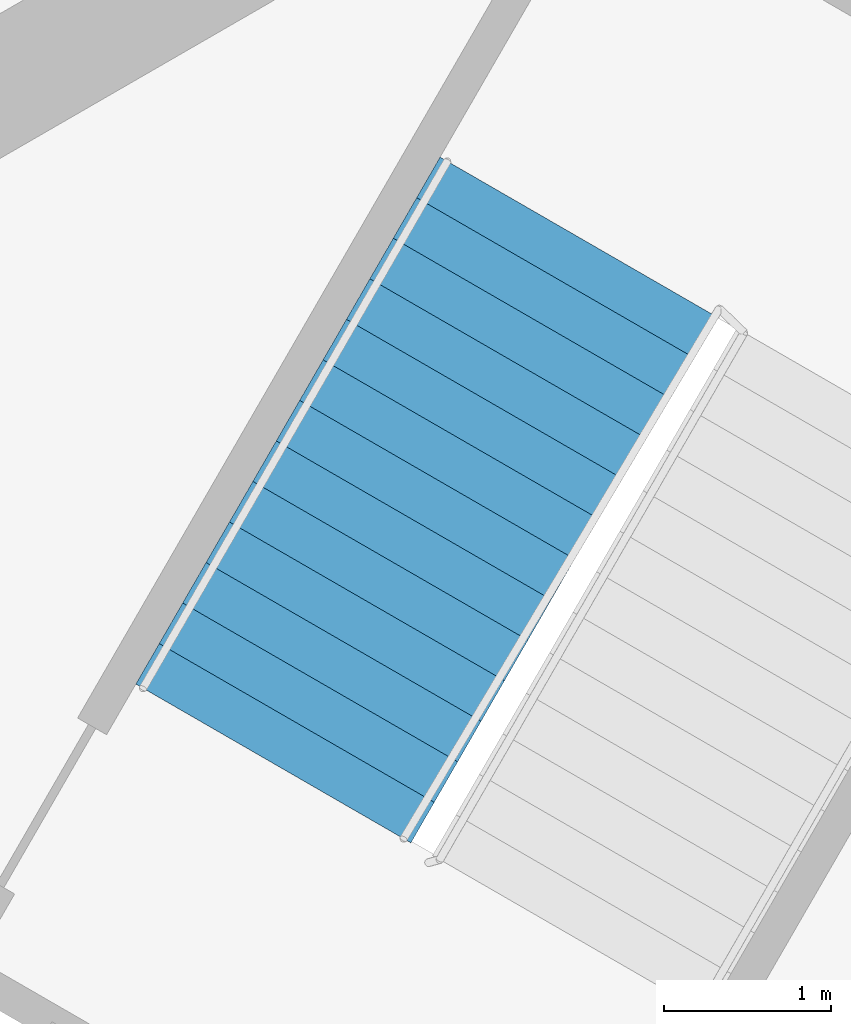
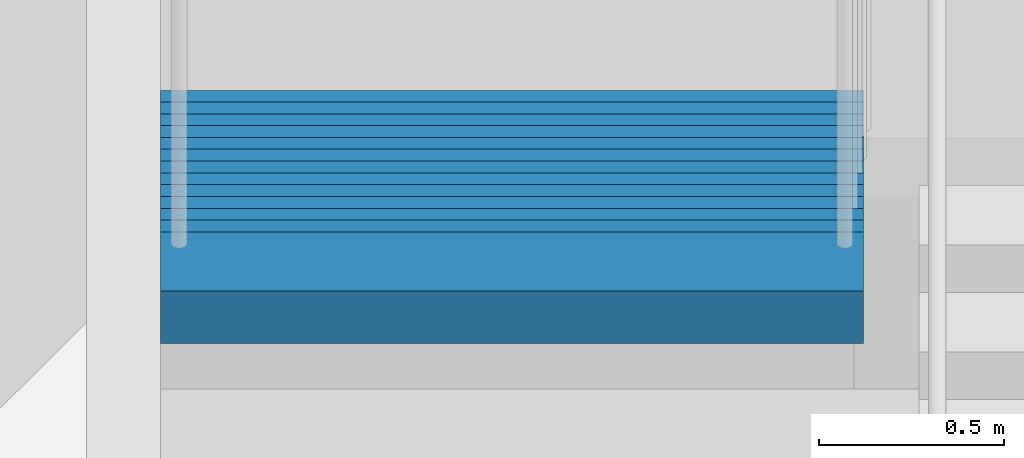
# One storey, part 15 of 17: 1 stair flight, 1 element without a shape of its own.
"""IFC4 building model written with IfcOpenShell, lengths in metres."""

from ifc_helpers import new_model, si_unit, direction, frame, origin, place, context, subcontext, project, spatial, polyline, outline, extrude, material, type_object, element, aggregate, save


model = new_model("IFC4")

# Units and contexts
model_context = context("Model", 3, precision=1e-05, world=origin(), true_north=direction((0.0, 1.0)))
body_context = subcontext(model_context, "Body", "Model", "MODEL_VIEW")
ifc_project = project(units=[si_unit("LENGTHUNIT", "METRE"), si_unit("AREAUNIT", "SQUARE_METRE"), si_unit("VOLUMEUNIT", "CUBIC_METRE"), si_unit("PLANEANGLEUNIT", "RADIAN"), si_unit("MASSUNIT", "GRAM", prefix="KILO")], contexts=[model_context])

# Site, building, storey
site_placement = place(None, origin())
site = spatial("IfcSite", under=ifc_project, at=site_placement, CompositionType="ELEMENT")
building_placement = place(site_placement, origin())
building = spatial("IfcBuilding", under=site, at=building_placement, Name="Jabali Bay Hotel Tower and Convention Centre", CompositionType="ELEMENT")
storey_placement = place(building_placement, frame((0.0, 0.0, 102.39990234375)))
storey = spatial("IfcBuildingStorey", under=building, at=storey_placement, Name="L24", CompositionType="ELEMENT", Elevation=102.39990234375)

# Stair, stair flight
ifc_material = material(Name="Concrete C40", Category="concrete")
stair_type = type_object("IfcStairType", Name="Exit stair 1900", PredefinedType="HALF_TURN_STAIR", material=ifc_material)
stair_placement = place(storey_placement, origin())
stair = element("IfcStair", 1, at=stair_placement, inside=storey, type_object=stair_type, Name="L24 Exit Stair 2", PredefinedType="HALF_TURN_STAIR")
stair_flight_type = type_object("IfcStairFlightType", Name="Stair flight concrete 150", PredefinedType="STRAIGHT", material=ifc_material)
stair_flight_placement = place(storey_placement, frame((85.222412109375, 99.755615234375, 2.2001953125), z_axis=(0.0, 0.0, 1.0), x_axis=(-0.5, -0.866025403784, 0.0)))
stair_flight = element("IfcStairFlight", 2, at=stair_flight_placement, type_object=stair_flight_type, Name="ST2 flight 2", NumberOfRisers=14, NumberOfTreads=13, PredefinedType="STRAIGHT", RiserHeight=0.157142857, TreadLength=0.28, context=body_context, shape_type="SweptSolid", body=[
    extrude(outline(polyline([(0.0, 0.0), (0.0, 0.1572265625), (0.280029296875, 0.1572265625), (0.280029296875, 0.314208984375), (0.56005859375, 0.314208984375), (0.56005859375, 0.471435546875), (0.840087890625, 0.471435546875), (0.840087890625, 0.628662109375), (1.1201171875, 0.628662109375), (1.1201171875, 0.78564453125), (1.39990234375, 0.78564453125), (1.39990234375, 0.94287109375), (1.679931640625, 0.94287109375), (1.679931640625, 1.10009765625), (1.9599609375, 1.10009765625), (1.9599609375, 1.257080078125), (2.239990234375, 1.257080078125), (2.239990234375, 1.414306640625), (2.52001953125, 1.414306640625), (2.52001953125, 1.571533203125), (2.800048828125, 1.571533203125), (2.800048828125, 1.728515625), (3.080078125, 1.728515625), (3.080078125, 1.8857421875), (3.360107421875, 1.8857421875), (3.360107421875, 2.04296875), (3.639892578125, 2.04296875), (3.639892578125, 2.199951171875), (3.639892578125, 1.870849609375), (0.306396484375, 0.0), (0.0, 0.0)])), frame((0.0, 0.949951171875, 0.0), z_axis=(0.0, -1.0, 0.0), x_axis=(1.0, 0.0, 0.0)), (0.0, 0.0, 1.0), 1.89990234375),
])
aggregate(stair, [stair_flight])

save(model, "model.ifc")
